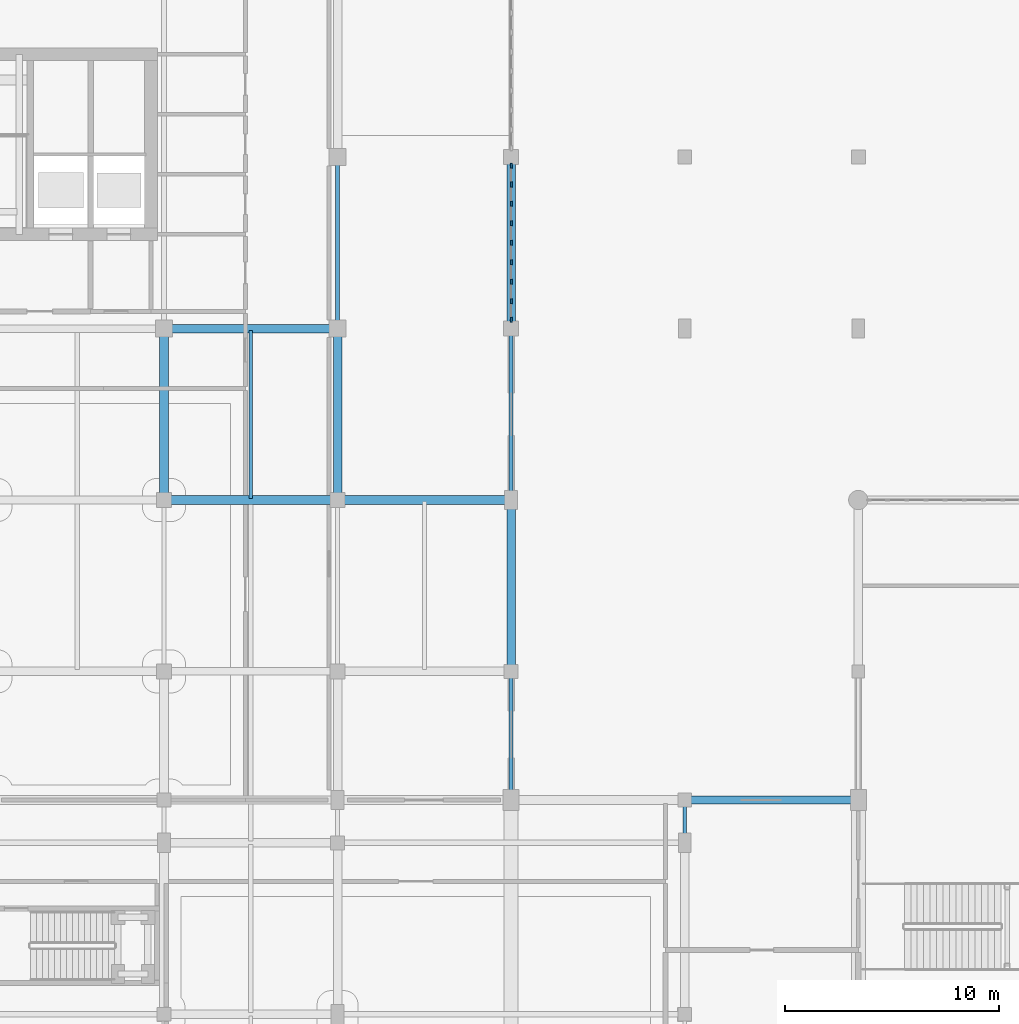
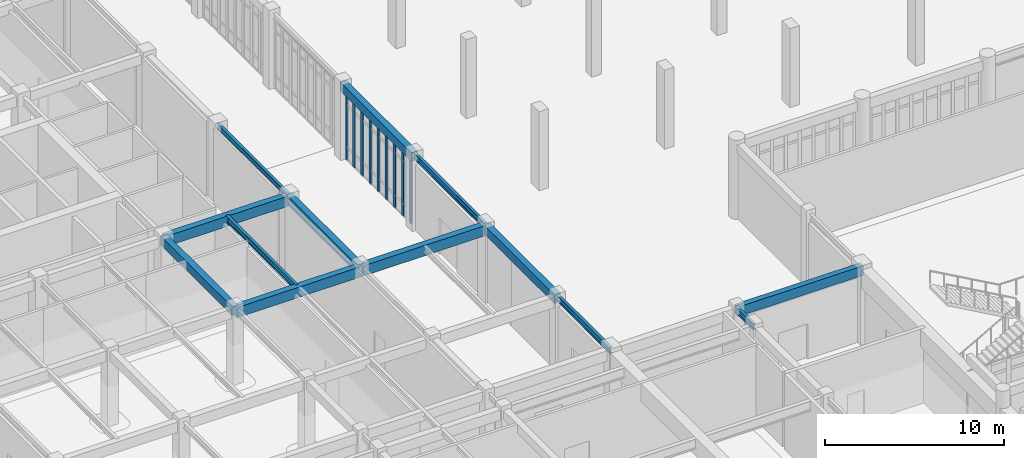
# One storey, part 6 of 62: 13 beams, 9 members, 1 element without a shape of its own.
"""IFC4 building model written with IfcOpenShell, lengths in metres."""

from ifc_helpers import new_model, si_unit, direction, frame, origin, origin_2d, place, context, subcontext, project, spatial, rectangle, i_section, extrude, material, material_profile, profile_set, type_object, element, aggregate, save


model = new_model("IFC4")

# Units and contexts
model_context = context("Model", 3, precision=1e-05, world=origin(), true_north=direction((0.0, 1.0)))
body_context = subcontext(model_context, "Body", "Model", "MODEL_VIEW")
ifc_project = project(units=[si_unit("LENGTHUNIT", "METRE"), si_unit("AREAUNIT", "SQUARE_METRE"), si_unit("VOLUMEUNIT", "CUBIC_METRE"), si_unit("PLANEANGLEUNIT", "RADIAN"), si_unit("MASSUNIT", "GRAM", prefix="KILO")], contexts=[model_context])

# Site, building, storey
site_placement = place(None, origin())
site = spatial("IfcSite", under=ifc_project, at=site_placement, CompositionType="ELEMENT")
building_placement = place(site_placement, origin())
building = spatial("IfcBuilding", under=site, at=building_placement, Name="Tarnveldt Square Police Headquarters", CompositionType="ELEMENT")
storey_placement = place(building_placement, origin())
storey = spatial("IfcBuildingStorey", under=building, at=storey_placement, Name="L00", CompositionType="ELEMENT", Elevation=0.0)

# Beams
ifc_material_1 = material(Name="Concrete 40 MPa", Category="concrete")
ifc_material_profile_1 = material_profile(ifc_material_1, rectangle(XDim=0.39990234375, YDim=0.60009765625, at=origin_2d()), Name="RC-B400x600")
ifc_profile_set_1 = profile_set([ifc_material_profile_1], Name="Concrete 40 MPa")
beam_type_1 = type_object("IfcBeamType", Name="BM-RC400x600", PredefinedType="BEAM", material=ifc_profile_set_1)
for number, where, z_axis, x_axis, name in (
    (1, (32.39990234375, 48.0, 4.820068359375), (0.0, 1.0, 0.0), (-1.0, 0.0, 0.0), "L01 Grid Girder Y-0367"),
    (2, (40.5, 48.0, 4.820068359375), (0.0, 1.0, 0.0), (-1.0, 0.0, 0.0), "L01 Grid Girder Y-0379"),
    (3, (48.60009765625, 40.0, 4.820068359375), (0.0, 1.0, 0.0), (-1.0, 0.0, 0.0), "L01 Grid Girder Y-0389"),
    (4, (48.60009765625, 56.0, 4.820068359375), (0.0, 1.0, 0.0), (-1.0, 0.0, 0.0), "L01 Grid Girder Y-0391"),
):
    element("IfcBeam", number, at=place(storey_placement, frame(where, z_axis=z_axis, x_axis=x_axis)), inside=storey, type_object=beam_type_1, Name=name, PredefinedType="BEAM", context=body_context, shape_type="SweptSolid", body=[
        extrude(rectangle(XDim=0.39990234375, YDim=0.60009765625, at=origin_2d()), origin(), (0.0, 0.0, 1.0), 8.0),
    ])
ifc_material_profile_2 = material_profile(ifc_material_1, rectangle(XDim=0.39990234375, YDim=0.699951171875, at=origin_2d()), Name="RC-B400x700")
ifc_profile_set_2 = profile_set([ifc_material_profile_2], Name="Concrete 40 MPa")
beam_type_2 = type_object("IfcBeamType", Name="BM-RC400x700", PredefinedType="BEAM", material=ifc_profile_set_2)
for number, where, z_axis, x_axis, name in (
    (5, (32.39990234375, 48.0, 4.77001953125), (1.0, 0.0, 0.0), (0.0, 1.0, 0.0), "L01 Grid Girder X-0272"),
    (6, (40.5, 48.0, 4.77001953125), (1.0, 0.0, 0.0), (0.0, 1.0, 0.0), "L01 Grid Girder X-0273"),
    (7, (32.39990234375, 56.0, 4.77001953125), (1.0, 0.0, 0.0), (0.0, 1.0, 0.0), "L01 Grid Girder X-0284"),
):
    element("IfcBeam", number, at=place(storey_placement, frame(where, z_axis=z_axis, x_axis=x_axis)), inside=storey, type_object=beam_type_2, Name=name, PredefinedType="BEAM", context=body_context, shape_type="SweptSolid", body=[
        extrude(rectangle(XDim=0.39990234375, YDim=0.699951171875, at=origin_2d()), origin(), (0.0, 0.0, 1.0), 8.10009765625),
    ])
ifc_material_profile_3 = material_profile(ifc_material_1, rectangle(XDim=0.35009765625, YDim=0.64990234375, at=origin_2d()), Name="RC-SP350x650")
ifc_profile_set_3 = profile_set([ifc_material_profile_3], Name="Concrete 40 MPa")
beam_type_3 = type_object("IfcBeamType", Name="BM-SP350x650", PredefinedType="SPANDREL", material=ifc_profile_set_3)
beam_1_placement = place(storey_placement, frame((56.699951171875, 34.0, 4.794921875), z_axis=(1.0, 0.0, 0.0), x_axis=(0.0, 1.0, 0.0)))
element("IfcBeam", 8, at=beam_1_placement, inside=storey, type_object=beam_type_3, Name="L01 Grid Girder X-0262", PredefinedType="SPANDREL", context=body_context, shape_type="SweptSolid", body=[
    extrude(rectangle(XDim=0.35009765625, YDim=0.64990234375, at=origin_2d()), origin(), (0.0, 0.0, 1.0), 8.10009765625),
])
ifc_material_2 = material(Name="Steel 350W", Category="steel")
ifc_material_profile_4 = material_profile(ifc_material_2, i_section(OverallWidth=0.177978515625, OverallDepth=0.406982421875, WebThickness=0.0078125, FlangeThickness=0.0126953125, FilletRadius=0.01611328125, at=origin_2d()), Name="W410x60")
ifc_profile_set_4 = profile_set([ifc_material_profile_4], Name="Steel 350W")
beam_type_4 = type_object("IfcBeamType", Name="BM-W410x60", PredefinedType="JOIST", material=ifc_profile_set_4)
beam_2_placement = place(storey_placement, frame((36.449951171875, 48.080078125, 4.91650390625), z_axis=(0.0, 1.0, 0.0), x_axis=(-1.0, 0.0, 0.0)))
element("IfcBeam", 9, at=beam_2_placement, inside=storey, type_object=beam_type_4, Name="L01 Secondary Floor Joist 0069", PredefinedType="JOIST", context=body_context, shape_type="SweptSolid", body=[
    extrude(i_section(OverallWidth=0.177978515625, OverallDepth=0.406982421875, WebThickness=0.0078125, FlangeThickness=0.0126953125, FilletRadius=0.01611328125, at=origin_2d()), origin(), (0.0, 0.0, 1.0), 7.83984375),
])
ifc_material_profile_5 = material_profile(ifc_material_2, i_section(OverallWidth=0.180908203125, OverallDepth=0.4169921875, WebThickness=0.010986328125, FlangeThickness=0.018310546875, FilletRadius=0.01611328125, at=origin_2d()), Name="W410x85")
ifc_profile_set_5 = profile_set([ifc_material_profile_5], Name="Steel 350W")
beam_type_5 = type_object("IfcBeamType", Name="BM-W410x85", PredefinedType="BEAM", material=ifc_profile_set_5)
beam_3_placement = place(storey_placement, frame((40.5, 56.0, 4.91162109375), z_axis=(0.0, 1.0, 0.0), x_axis=(-1.0, 0.0, 0.0)))
element("IfcBeam", 10, at=beam_3_placement, inside=storey, type_object=beam_type_5, Name="L01 Grid Girder Y-0380", PredefinedType="BEAM", context=body_context, shape_type="SweptSolid", body=[
    extrude(i_section(OverallWidth=0.180908203125, OverallDepth=0.4169921875, WebThickness=0.010986328125, FlangeThickness=0.018310546875, FilletRadius=0.01611328125, at=origin_2d()), origin(), (0.0, 0.0, 1.0), 8.0),
])
beam_4_placement = place(storey_placement, frame((48.60009765625, 34.0, 4.91162109375), z_axis=(0.0, 1.0, 0.0), x_axis=(-1.0, 0.0, 0.0)))
element("IfcBeam", 11, at=beam_4_placement, inside=storey, type_object=beam_type_5, Name="L01 Grid Girder Y-0388", PredefinedType="BEAM", context=body_context, shape_type="SweptSolid", body=[
    extrude(i_section(OverallWidth=0.180908203125, OverallDepth=0.4169921875, WebThickness=0.010986328125, FlangeThickness=0.018310546875, FilletRadius=0.01611328125, at=origin_2d()), origin(), (0.0, 0.0, 1.0), 6.0),
])
beam_5_placement = place(storey_placement, frame((48.60009765625, 48.0, 4.91162109375), z_axis=(0.0, 1.0, 0.0), x_axis=(-1.0, 0.0, 0.0)))
element("IfcBeam", 12, at=beam_5_placement, inside=storey, type_object=beam_type_5, Name="L01 Grid Girder Y-0390", PredefinedType="BEAM", context=body_context, shape_type="SweptSolid", body=[
    extrude(i_section(OverallWidth=0.180908203125, OverallDepth=0.4169921875, WebThickness=0.010986328125, FlangeThickness=0.018310546875, FilletRadius=0.01611328125, at=origin_2d()), origin(), (0.0, 0.0, 1.0), 8.0),
])
beam_6_placement = place(storey_placement, frame((56.699951171875, 32.0, 4.91162109375), z_axis=(0.0, 1.0, 0.0), x_axis=(-1.0, 0.0, 0.0)))
element("IfcBeam", 13, at=beam_6_placement, inside=storey, type_object=beam_type_5, Name="L01 Grid Girder Y-0398", PredefinedType="BEAM", context=body_context, shape_type="SweptSolid", body=[
    extrude(i_section(OverallWidth=0.180908203125, OverallDepth=0.4169921875, WebThickness=0.010986328125, FlangeThickness=0.018310546875, FilletRadius=0.01611328125, at=origin_2d()), origin(), (0.0, 0.0, 1.0), 2.0),
])

# Curtain wall, members
ifc_material_3 = material(Name="Triple-glazed low-e laminated vision glass", Category="glass")
curtain_wall_type = type_object("IfcCurtainWallType", Name="CW-WG-727x451", PredefinedType="USERDEFINED", material=ifc_material_3)
curtain_wall_placement = place(storey_placement, origin())
curtain_wall = element("IfcCurtainWall", 14, at=curtain_wall_placement, inside=storey, type_object=curtain_wall_type, Name="L00 Curtain Wall CW-L00-062", ObjectType="GLAZED CURTAIN WALL", PredefinedType="USERDEFINED")
ifc_material_4 = material(Name="Thermally broken anodised aluminium 6063-T6", Category="aluminium")
ifc_material_profile_6 = material_profile(ifc_material_4, rectangle(XDim=0.0849609375, YDim=0.239990234375, at=origin_2d()), Name="CW-M85x240")
ifc_profile_set_6 = profile_set([ifc_material_profile_6], Name="Thermally broken anodised aluminium 6063-T6")
member_type = type_object("IfcMemberType", Name="CWM-85x240", PredefinedType="MULLION", material=ifc_profile_set_6)
member_1_placement = place(storey_placement, frame((48.60009765625, 56.407470703125, 0.0), z_axis=(0.0, 0.0, 1.0), x_axis=(-1.0, 0.0, 0.0)))
member_1 = element("IfcMember", 15, at=member_1_placement, type_object=member_type, Name="CW-WG24 mullion 1", PredefinedType="MULLION", context=body_context, shape_type="SweptSolid", body=[
    extrude(rectangle(XDim=0.0849609375, YDim=0.239990234375, at=origin_2d()), origin(), (0.0, 0.0, 1.0), 4.511962890625),
])
member_2_placement = place(storey_placement, frame((48.60009765625, 57.273681640625, 0.0), z_axis=(0.0, 0.0, 1.0), x_axis=(-1.0, 0.0, 0.0)))
member_2 = element("IfcMember", 16, at=member_2_placement, type_object=member_type, Name="CW-WG24 mullion 2", PredefinedType="MULLION", context=body_context, shape_type="SweptSolid", body=[
    extrude(rectangle(XDim=0.0849609375, YDim=0.239990234375, at=origin_2d()), origin(), (0.0, 0.0, 1.0), 4.511962890625),
])
member_3_placement = place(storey_placement, frame((48.60009765625, 58.1826171875, 0.0), z_axis=(0.0, 0.0, 1.0), x_axis=(-1.0, 0.0, 0.0)))
member_3 = element("IfcMember", 17, at=member_3_placement, type_object=member_type, Name="CW-WG24 mullion 3", PredefinedType="MULLION", context=body_context, shape_type="SweptSolid", body=[
    extrude(rectangle(XDim=0.0849609375, YDim=0.239990234375, at=origin_2d()), origin(), (0.0, 0.0, 1.0), 4.511962890625),
])
member_4_placement = place(storey_placement, frame((48.60009765625, 59.09130859375, 0.0), z_axis=(0.0, 0.0, 1.0), x_axis=(-1.0, 0.0, 0.0)))
member_4 = element("IfcMember", 18, at=member_4_placement, type_object=member_type, Name="CW-WG24 mullion 4", PredefinedType="MULLION", context=body_context, shape_type="SweptSolid", body=[
    extrude(rectangle(XDim=0.0849609375, YDim=0.239990234375, at=origin_2d()), origin(), (0.0, 0.0, 1.0), 4.511962890625),
])
member_5_placement = place(storey_placement, frame((48.60009765625, 60.0, 0.0), z_axis=(0.0, 0.0, 1.0), x_axis=(-1.0, 0.0, 0.0)))
member_5 = element("IfcMember", 19, at=member_5_placement, type_object=member_type, Name="CW-WG24 mullion 5", PredefinedType="MULLION", context=body_context, shape_type="SweptSolid", body=[
    extrude(rectangle(XDim=0.0849609375, YDim=0.239990234375, at=origin_2d()), origin(), (0.0, 0.0, 1.0), 4.511962890625),
])
member_6_placement = place(storey_placement, frame((48.60009765625, 60.90869140625, 0.0), z_axis=(0.0, 0.0, 1.0), x_axis=(-1.0, 0.0, 0.0)))
member_6 = element("IfcMember", 20, at=member_6_placement, type_object=member_type, Name="CW-WG24 mullion 6", PredefinedType="MULLION", context=body_context, shape_type="SweptSolid", body=[
    extrude(rectangle(XDim=0.0849609375, YDim=0.239990234375, at=origin_2d()), origin(), (0.0, 0.0, 1.0), 4.511962890625),
])
member_7_placement = place(storey_placement, frame((48.60009765625, 61.8173828125, 0.0), z_axis=(0.0, 0.0, 1.0), x_axis=(-1.0, 0.0, 0.0)))
member_7 = element("IfcMember", 21, at=member_7_placement, type_object=member_type, Name="CW-WG24 mullion 7", PredefinedType="MULLION", context=body_context, shape_type="SweptSolid", body=[
    extrude(rectangle(XDim=0.0849609375, YDim=0.239990234375, at=origin_2d()), origin(), (0.0, 0.0, 1.0), 4.511962890625),
])
member_8_placement = place(storey_placement, frame((48.60009765625, 62.726318359375, 0.0), z_axis=(0.0, 0.0, 1.0), x_axis=(-1.0, 0.0, 0.0)))
member_8 = element("IfcMember", 22, at=member_8_placement, type_object=member_type, Name="CW-WG24 mullion 8", PredefinedType="MULLION", context=body_context, shape_type="SweptSolid", body=[
    extrude(rectangle(XDim=0.0849609375, YDim=0.239990234375, at=origin_2d()), origin(), (0.0, 0.0, 1.0), 4.511962890625),
])
member_9_placement = place(storey_placement, frame((48.60009765625, 63.592529296875, 0.0), z_axis=(0.0, 0.0, 1.0), x_axis=(-1.0, 0.0, 0.0)))
member_9 = element("IfcMember", 23, at=member_9_placement, type_object=member_type, Name="CW-WG24 mullion 9", PredefinedType="MULLION", context=body_context, shape_type="SweptSolid", body=[
    extrude(rectangle(XDim=0.0849609375, YDim=0.239990234375, at=origin_2d()), origin(), (0.0, 0.0, 1.0), 4.511962890625),
])
aggregate(curtain_wall, [member_1, member_2, member_3, member_4, member_5, member_6, member_7, member_8, member_9])

save(model, "model.ifc")
